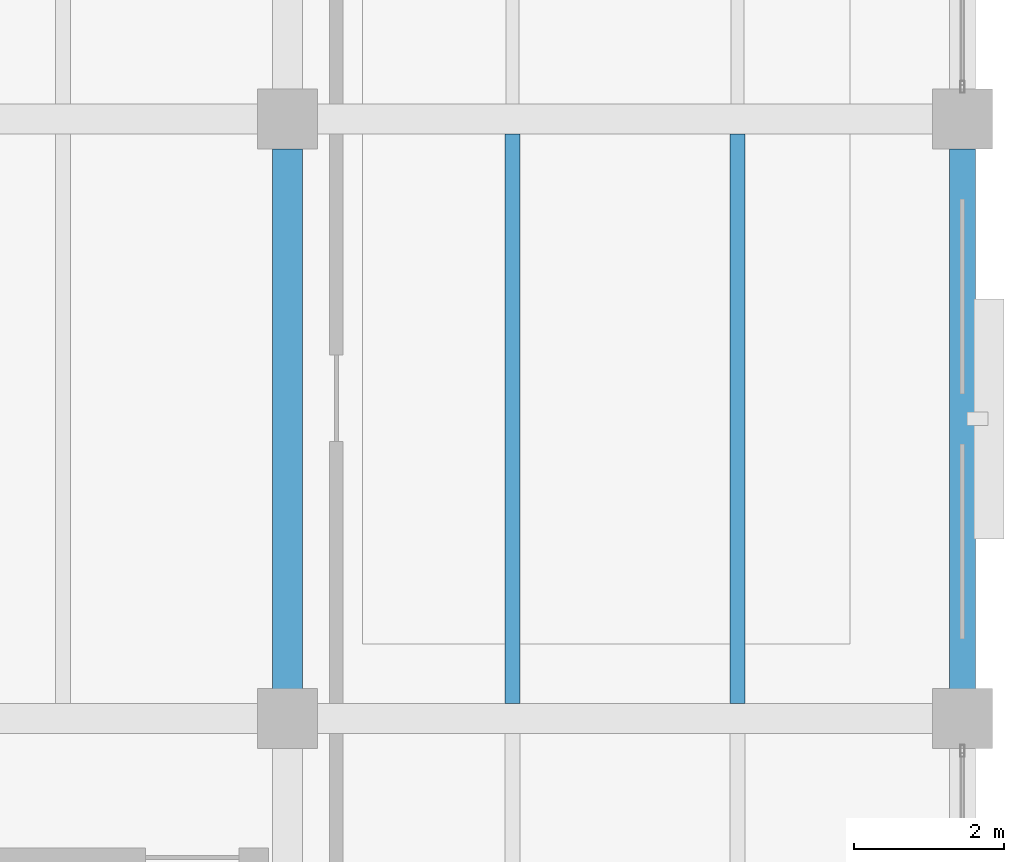
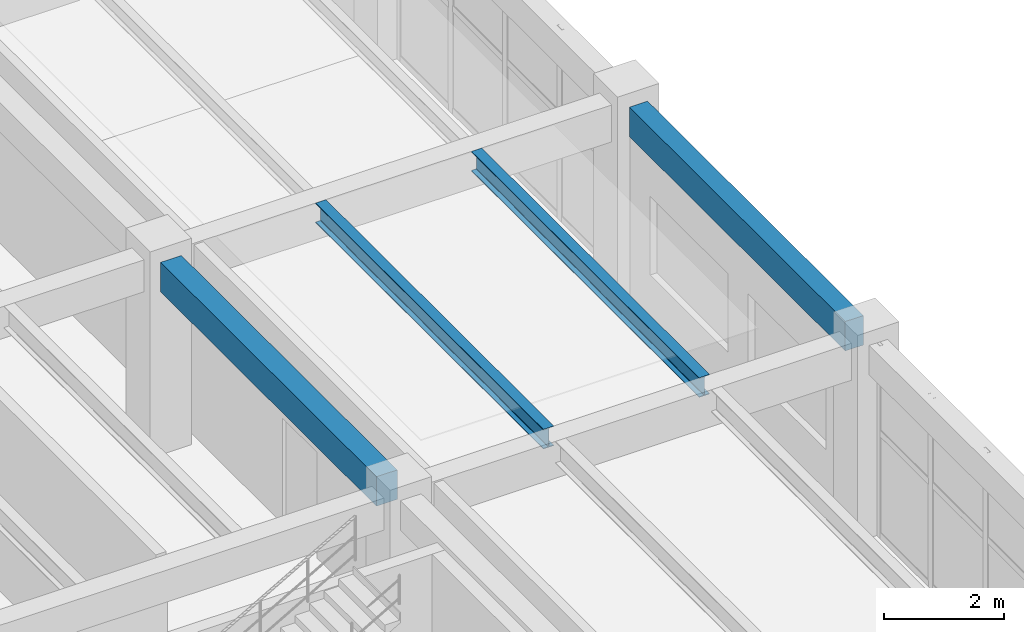
# One storey, part 93 of 148: 4 beams.
"""IFC4 building model written with IfcOpenShell, lengths in metres."""

from ifc_helpers import new_model, si_unit, derived_unit, direction, frame, origin, origin_2d, place, context, subcontext, project, spatial, rectangle, i_section, extrude, material, material_profile, profile_set, type_object, element, save


model = new_model("IFC4")

# Units and contexts
model_context = context("Model", 3, precision=1e-05, world=origin(), true_north=direction((0.0, 1.0)))
body_context = subcontext(model_context, "Body", "Model", "MODEL_VIEW")
ifc_project = project(units=[si_unit("LENGTHUNIT", "METRE"), si_unit("AREAUNIT", "SQUARE_METRE"), si_unit("VOLUMEUNIT", "CUBIC_METRE"), si_unit("PLANEANGLEUNIT", "RADIAN"), si_unit("MASSUNIT", "GRAM", prefix="KILO"), derived_unit("THERMALTRANSMITTANCEUNIT", [(si_unit("MASSUNIT", "GRAM", prefix="KILO"), 1), (si_unit("TIMEUNIT", "SECOND"), -3), (si_unit("THERMODYNAMICTEMPERATUREUNIT", "KELVIN"), -1)])], contexts=[model_context])

# Site, building, storey
site_placement = place(None, origin())
site = spatial("IfcSite", under=ifc_project, at=site_placement, CompositionType="ELEMENT")
building_placement = place(site_placement, origin())
building = spatial("IfcBuilding", under=site, at=building_placement, Name="Zhenchuan Archway Interchange", CompositionType="ELEMENT")
storey_placement = place(building_placement, frame((0.0, 0.0, 10.199951171875)))
storey = spatial("IfcBuildingStorey", under=building, at=storey_placement, Name="L02", CompositionType="ELEMENT", Elevation=10.199951171875)

# Beams
ifc_material_1 = material(Name="Concrete C40", Category="concrete")
ifc_material_profile_1 = material_profile(ifc_material_1, rectangle(XDim=0.39990234375, YDim=0.60009765625, at=origin_2d()), Name="RC 400x600")
ifc_profile_set_1 = profile_set([ifc_material_profile_1], Name="Concrete C40")
beam_type_1 = type_object("IfcBeamType", Name="BM_RC_400x600", PredefinedType="BEAM", material=ifc_profile_set_1)
beam_1_placement = place(storey_placement, frame((162.0, 24.39990234375, 3.6201171875), z_axis=(0.0, 1.0, 0.0), x_axis=(-1.0, 0.0, 0.0)))
element("IfcBeam", 1, at=beam_1_placement, inside=storey, type_object=beam_type_1, Name="Beam 19:D-E (L02)", PredefinedType="BEAM", context=body_context, shape_type="SweptSolid", body=[
    extrude(rectangle(XDim=0.39990234375, YDim=0.60009765625, at=origin_2d()), origin(), (0.0, 0.0, 1.0), 7.2001953125),
])
ifc_material_2 = material(Name="Steel Q355", Category="steel")
ifc_material_profile_2 = material_profile(ifc_material_2, i_section(OverallWidth=0.199951171875, OverallDepth=0.39990234375, WebThickness=0.008056640625, FlangeThickness=0.012939453125, FilletRadius=0.01611328125, at=origin_2d()), Name="HN 400x200")
ifc_profile_set_2 = profile_set([ifc_material_profile_2], Name="Steel Q355")
beam_type_2 = type_object("IfcBeamType", Name="JST_STL_HN400", PredefinedType="JOIST", material=ifc_profile_set_2)
for number, where, z_axis, x_axis, name in (
    (2, (165.0, 24.199951171875, 3.719970703125), (0.0, 1.0, 0.0), (-1.0, 0.0, 0.0), "Secondary joist 19-20/D-E #1 (L02)"),
    (3, (168.0, 24.199951171875, 3.719970703125), (0.0, 1.0, 0.0), (-1.0, 0.0, 0.0), "Secondary joist 19-20/D-E #2 (L02)"),
):
    element("IfcBeam", number, at=place(storey_placement, frame(where, z_axis=z_axis, x_axis=x_axis)), inside=storey, type_object=beam_type_2, Name=name, PredefinedType="JOIST", context=body_context, shape_type="SweptSolid", body=[
        extrude(i_section(OverallWidth=0.199951171875, OverallDepth=0.39990234375, WebThickness=0.008056640625, FlangeThickness=0.012939453125, FilletRadius=0.01611328125, at=origin_2d()), origin(), (0.0, 0.0, 1.0), 7.60009765625),
    ])
ifc_material_profile_3 = material_profile(ifc_material_1, rectangle(XDim=0.35009765625, YDim=0.60009765625, at=origin_2d()), Name="RC 350x600")
ifc_profile_set_3 = profile_set([ifc_material_profile_3], Name="Concrete C40")
beam_type_3 = type_object("IfcBeamType", Name="SP_RC_350x600", PredefinedType="SPANDREL", material=ifc_profile_set_3)
beam_2_placement = place(storey_placement, frame((171.0, 24.39990234375, 3.6201171875), z_axis=(0.0, 1.0, 0.0), x_axis=(-1.0, 0.0, 0.0)))
element("IfcBeam", 4, at=beam_2_placement, inside=storey, type_object=beam_type_3, Name="Beam 20:D-E (L02)", PredefinedType="SPANDREL", context=body_context, shape_type="SweptSolid", body=[
    extrude(rectangle(XDim=0.35009765625, YDim=0.60009765625, at=origin_2d()), origin(), (0.0, 0.0, 1.0), 7.2001953125),
])

save(model, "model.ifc")
